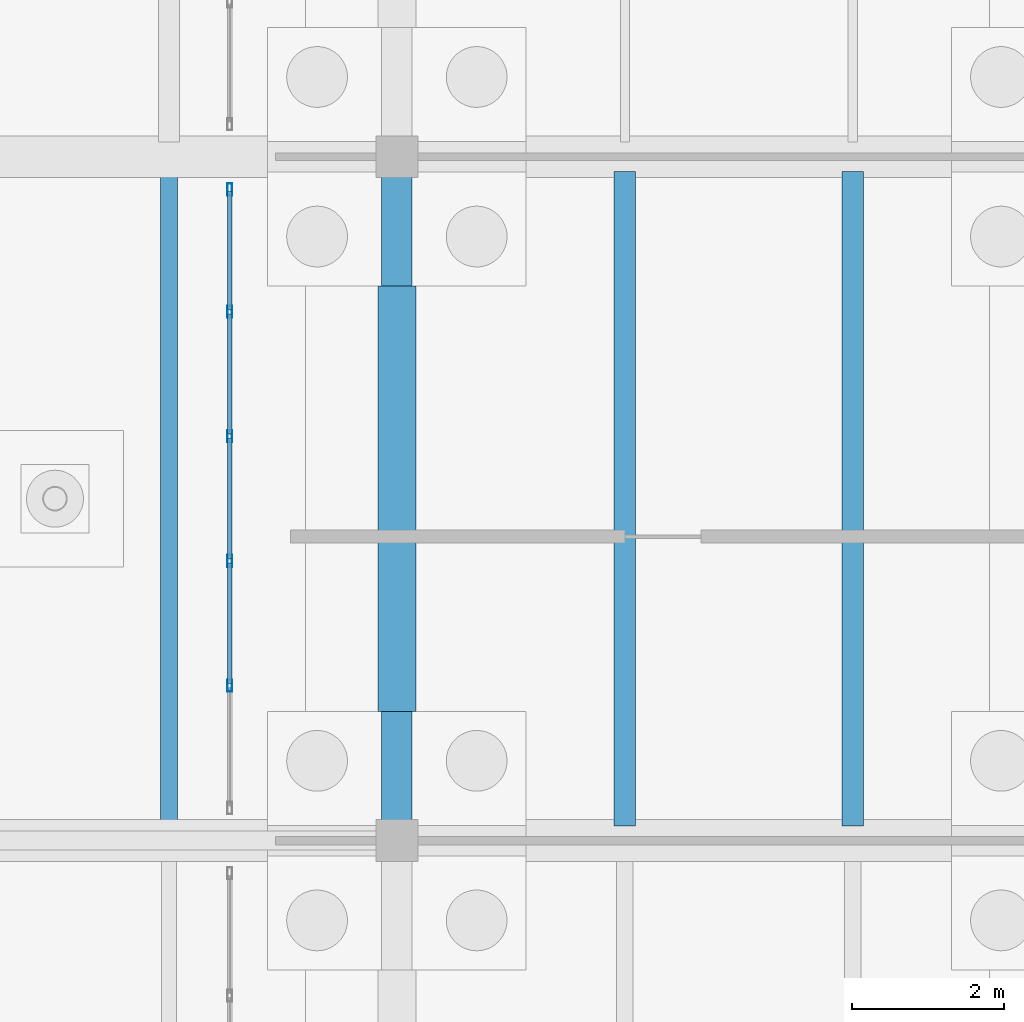
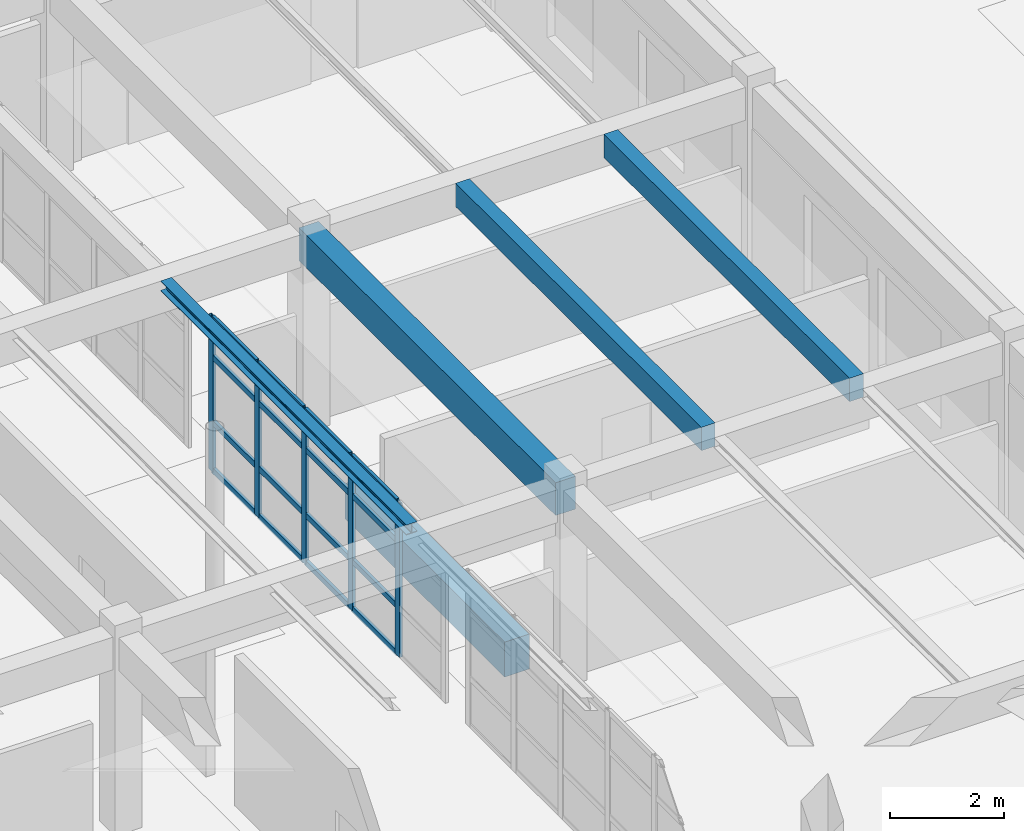
# One storey, part 51 of 186: 21 members, 5 beams, 1 element without a shape of its own.
"""IFC4 building model written with IfcOpenShell, lengths in metres."""

from ifc_helpers import new_model, si_unit, direction, frame, origin, origin_2d, place, context, subcontext, project, spatial, rectangle, hollow_rectangle, i_section, extrude, material, layer, layer_set, material_profile, profile_set, type_object, element, aggregate, save


model = new_model("IFC4")

# Units and contexts
model_context = context("Model", 3, precision=1e-05, world=origin(), true_north=direction((0.0, 1.0)))
body_context = subcontext(model_context, "Body", "Model", "MODEL_VIEW")
ifc_project = project(units=[si_unit("LENGTHUNIT", "METRE"), si_unit("AREAUNIT", "SQUARE_METRE"), si_unit("VOLUMEUNIT", "CUBIC_METRE"), si_unit("PLANEANGLEUNIT", "RADIAN"), si_unit("MASSUNIT", "GRAM", prefix="KILO")], contexts=[model_context])

# Site, building, storey
site_placement = place(None, origin())
site = spatial("IfcSite", under=ifc_project, at=site_placement, CompositionType="ELEMENT")
building_placement = place(site_placement, origin())
building = spatial("IfcBuilding", under=site, at=building_placement, Name="Ornek Quay Market", CompositionType="ELEMENT")
storey_placement = place(building_placement, origin())
storey = spatial("IfcBuildingStorey", under=building, at=storey_placement, Name="L00", CompositionType="ELEMENT", Elevation=0.0)

# Beams
ifc_material_1 = material(Name="Concrete C35/45", Category="concrete")
ifc_material_profile_1 = material_profile(ifc_material_1, rectangle(XDim=0.5, YDim=0.75, at=origin_2d()), Name="RC 500x750", Category="concrete")
ifc_profile_set_1 = profile_set([ifc_material_profile_1], Name="Concrete C35/45")
beam_type_1 = type_object("IfcBeamType", Name="BM-GB-500x750", PredefinedType="BEAM", material=ifc_profile_set_1)
beam_1_placement = place(storey_placement, frame((18.0, 75.699951171875, -0.574951171875), z_axis=(0.0, 1.0, 0.0), x_axis=(-1.0, 0.0, 0.0)))
element("IfcBeam", 1, at=beam_1_placement, inside=storey, type_object=beam_type_1, Name="Ground tie beam GB-072", PredefinedType="BEAM", context=body_context, shape_type="SweptSolid", body=[
    extrude(rectangle(XDim=0.5, YDim=0.75, at=origin_2d()), origin(), (0.0, 0.0, 1.0), 5.60009765625),
])
ifc_material_profile_2 = material_profile(ifc_material_1, rectangle(XDim=0.280029296875, YDim=0.5, at=origin_2d()), Name="RC 280x500", Category="concrete")
ifc_profile_set_2 = profile_set([ifc_material_profile_2], Name="Concrete C35/45")
beam_type_2 = type_object("IfcBeamType", Name="BM-SEC-280x500", PredefinedType="JOIST", material=ifc_profile_set_2)
for number, where, z_axis, x_axis, name in (
    (2, (21.0, 74.19189453125, 3.969970703125), (0.0, 1.0, 0.0), (-1.0, 0.0, 0.0), "Secondary joist B-SC2-029"),
    (3, (24.0, 74.19189453125, 3.969970703125), (0.0, 1.0, 0.0), (-1.0, 0.0, 0.0), "Secondary joist B-SC2-030"),
):
    element("IfcBeam", number, at=place(storey_placement, frame(where, z_axis=z_axis, x_axis=x_axis)), inside=storey, type_object=beam_type_2, Name=name, PredefinedType="JOIST", context=body_context, shape_type="SweptSolid", body=[
        extrude(rectangle(XDim=0.280029296875, YDim=0.5, at=origin_2d()), origin(), (0.0, 0.0, 1.0), 8.6162109375),
    ])
ifc_material_2 = material(Name="Steel S355", Category="steel")
ifc_material_profile_3 = material_profile(ifc_material_2, i_section(OverallWidth=0.219970703125, OverallDepth=0.2099609375, WebThickness=0.007080078125, FlangeThickness=0.010986328125, FilletRadius=0.01806640625, at=origin_2d()), Name="HEA 220", Category="steel")
ifc_profile_set_3 = profile_set([ifc_material_profile_3], Name="Steel S355")
beam_type_3 = type_object("IfcBeamType", Name="BM-STL-HEA220", PredefinedType="BEAM", material=ifc_profile_set_3)
beam_2_placement = place(storey_placement, frame((15.0, 74.19189453125, 4.114990234375), z_axis=(0.0, 1.0, 0.0), x_axis=(-1.0, 0.0, 0.0)))
element("IfcBeam", 4, at=beam_2_placement, inside=storey, type_object=beam_type_3, Name="Secondary joist SB-13-008", PredefinedType="BEAM", context=body_context, shape_type="SweptSolid", body=[
    extrude(i_section(OverallWidth=0.219970703125, OverallDepth=0.2099609375, WebThickness=0.007080078125, FlangeThickness=0.010986328125, FilletRadius=0.01806640625, at=origin_2d()), origin(), (0.0, 0.0, 1.0), 8.6162109375),
])
ifc_material_profile_4 = material_profile(ifc_material_1, rectangle(XDim=0.39990234375, YDim=0.699951171875, at=origin_2d()), Name="RC 400x700", Category="concrete")
ifc_profile_set_4 = profile_set([ifc_material_profile_4], Name="Concrete C35/45")
beam_type_4 = type_object("IfcBeamType", Name="BM-WW-400x700", PredefinedType="BEAM", material=ifc_profile_set_4)
beam_3_placement = place(storey_placement, frame((18.0, 74.0, 3.8701171875), z_axis=(0.0, 1.0, 0.0), x_axis=(-1.0, 0.0, 0.0)))
element("IfcBeam", 5, at=beam_3_placement, inside=storey, type_object=beam_type_4, Name="Primary beam B-WW1-044", PredefinedType="BEAM", context=body_context, shape_type="SweptSolid", body=[
    extrude(rectangle(XDim=0.39990234375, YDim=0.699951171875, at=origin_2d()), origin(), (0.0, 0.0, 1.0), 9.0),
])

# Curtain wall, members
ifc_material_3 = material(Name="Anodised bronze aluminium and triple low-e glass", Category="aluminium")
ifc_layer = layer(ifc_material_3, 0.179931640625, Name="Anodised bronze aluminium and triple low-e glass", Category="aluminium")
ifc_layer_set = layer_set([ifc_layer], Name="Anodised bronze aluminium and triple low-e glass")
curtain_wall_type = type_object("IfcCurtainWallType", Name="CW-CONC-MOD1500", PredefinedType="USERDEFINED", material=ifc_layer_set)
curtain_wall_placement = place(storey_placement, origin())
curtain_wall = element("IfcCurtainWall", 6, at=curtain_wall_placement, inside=storey, type_object=curtain_wall_type, Name="Curtain wall CW-144", ObjectType="CURTAIN WALL", PredefinedType="USERDEFINED")
ifc_material_4 = material(Name="Anodised aluminium 6063-T6", Category="aluminium")
ifc_material_profile_5 = material_profile(ifc_material_4, hollow_rectangle(XDim=0.06005859375, YDim=0.159912109375, WallThickness=0.00390625, at=origin_2d()), Name="CW-MUL-60x160", Category="aluminium")
ifc_profile_set_5 = profile_set([ifc_material_profile_5], Name="Anodised aluminium 6063-T6")
member_type_1 = type_object("IfcMemberType", Name="CW-MUL-60x160", PredefinedType="MULLION", material=ifc_profile_set_5)
member_1_placement = place(storey_placement, frame((15.800048828125, 76.0400390625, 0.0), z_axis=(0.0, 0.0, 1.0), x_axis=(-1.0, 0.0, 0.0)))
member_1 = element("IfcMember", 7, at=member_1_placement, type_object=member_type_1, Name="CW-144 mullion 2", PredefinedType="MULLION", context=body_context, shape_type="SweptSolid", body=[
    extrude(hollow_rectangle(XDim=0.06005859375, YDim=0.159912109375, WallThickness=0.00390625, at=origin_2d()), origin(), (0.0, 0.0, 1.0), 3.300048828125),
])
member_2_placement = place(storey_placement, frame((15.800048828125, 77.679931640625, 0.0), z_axis=(0.0, 0.0, 1.0), x_axis=(-1.0, 0.0, 0.0)))
member_2 = element("IfcMember", 8, at=member_2_placement, type_object=member_type_1, Name="CW-144 mullion 3", PredefinedType="MULLION", context=body_context, shape_type="SweptSolid", body=[
    extrude(hollow_rectangle(XDim=0.06005859375, YDim=0.159912109375, WallThickness=0.00390625, at=origin_2d()), origin(), (0.0, 0.0, 1.0), 3.300048828125),
])
member_3_placement = place(storey_placement, frame((15.800048828125, 79.320068359375, 0.0), z_axis=(0.0, 0.0, 1.0), x_axis=(-1.0, 0.0, 0.0)))
member_3 = element("IfcMember", 9, at=member_3_placement, type_object=member_type_1, Name="CW-144 mullion 4", PredefinedType="MULLION", context=body_context, shape_type="SweptSolid", body=[
    extrude(hollow_rectangle(XDim=0.06005859375, YDim=0.159912109375, WallThickness=0.00390625, at=origin_2d()), origin(), (0.0, 0.0, 1.0), 3.300048828125),
])
member_4_placement = place(storey_placement, frame((15.800048828125, 80.9599609375, 0.0), z_axis=(0.0, 0.0, 1.0), x_axis=(-1.0, 0.0, 0.0)))
member_4 = element("IfcMember", 10, at=member_4_placement, type_object=member_type_1, Name="CW-144 mullion 5", PredefinedType="MULLION", context=body_context, shape_type="SweptSolid", body=[
    extrude(hollow_rectangle(XDim=0.06005859375, YDim=0.159912109375, WallThickness=0.00390625, at=origin_2d()), origin(), (0.0, 0.0, 1.0), 3.300048828125),
])
member_5_placement = place(storey_placement, frame((15.800048828125, 82.570068359375, 0.0), z_axis=(0.0, 0.0, 1.0), x_axis=(-1.0, 0.0, 0.0)))
member_5 = element("IfcMember", 11, at=member_5_placement, type_object=member_type_1, Name="CW-144 mullion 6", PredefinedType="MULLION", context=body_context, shape_type="SweptSolid", body=[
    extrude(hollow_rectangle(XDim=0.06005859375, YDim=0.159912109375, WallThickness=0.00390625, at=origin_2d()), origin(), (0.0, 0.0, 1.0), 3.300048828125),
])
ifc_material_profile_6 = material_profile(ifc_material_4, hollow_rectangle(XDim=0.06005859375, YDim=0.1201171875, WallThickness=0.00390625, at=origin_2d()), Name="CW-TRN-60x120", Category="aluminium")
ifc_profile_set_6 = profile_set([ifc_material_profile_6], Name="Anodised aluminium 6063-T6")
member_type_2 = type_object("IfcMemberType", Name="CW-TRN-60x120", PredefinedType="USERDEFINED", material=ifc_profile_set_6)
member_6_placement = place(storey_placement, frame((15.800048828125, 76.070068359375, 0.030029296875), z_axis=(0.0, 1.0, 0.0), x_axis=(-1.0, 0.0, 0.0)))
member_6 = element("IfcMember", 12, at=member_6_placement, type_object=member_type_2, Name="CW-144 transom 2.1", ObjectType="TRANSOM", PredefinedType="USERDEFINED", context=body_context, shape_type="SweptSolid", body=[
    extrude(hollow_rectangle(XDim=0.06005859375, YDim=0.1201171875, WallThickness=0.00390625, at=origin_2d()), origin(), (0.0, 0.0, 1.0), 1.579833984375),
])
member_7_placement = place(storey_placement, frame((15.800048828125, 76.070068359375, 1.050048828125), z_axis=(0.0, 1.0, 0.0), x_axis=(-1.0, 0.0, 0.0)))
member_7 = element("IfcMember", 13, at=member_7_placement, type_object=member_type_2, Name="CW-144 transom 2.2", ObjectType="TRANSOM", PredefinedType="USERDEFINED", context=body_context, shape_type="SweptSolid", body=[
    extrude(hollow_rectangle(XDim=0.06005859375, YDim=0.1201171875, WallThickness=0.00390625, at=origin_2d()), origin(), (0.0, 0.0, 1.0), 1.579833984375),
])
member_8_placement = place(storey_placement, frame((15.800048828125, 76.070068359375, 2.449951171875), z_axis=(0.0, 1.0, 0.0), x_axis=(-1.0, 0.0, 0.0)))
member_8 = element("IfcMember", 14, at=member_8_placement, type_object=member_type_2, Name="CW-144 transom 2.3", ObjectType="TRANSOM", PredefinedType="USERDEFINED", context=body_context, shape_type="SweptSolid", body=[
    extrude(hollow_rectangle(XDim=0.06005859375, YDim=0.1201171875, WallThickness=0.00390625, at=origin_2d()), origin(), (0.0, 0.0, 1.0), 1.579833984375),
])
member_9_placement = place(storey_placement, frame((15.800048828125, 76.070068359375, 3.27001953125), z_axis=(0.0, 1.0, 0.0), x_axis=(-1.0, 0.0, 0.0)))
member_9 = element("IfcMember", 15, at=member_9_placement, type_object=member_type_2, Name="CW-144 transom 2.4", ObjectType="TRANSOM", PredefinedType="USERDEFINED", context=body_context, shape_type="SweptSolid", body=[
    extrude(hollow_rectangle(XDim=0.06005859375, YDim=0.1201171875, WallThickness=0.00390625, at=origin_2d()), origin(), (0.0, 0.0, 1.0), 1.579833984375),
])
member_10_placement = place(storey_placement, frame((15.800048828125, 77.7099609375, 0.030029296875), z_axis=(0.0, 1.0, 0.0), x_axis=(-1.0, 0.0, 0.0)))
member_10 = element("IfcMember", 16, at=member_10_placement, type_object=member_type_2, Name="CW-144 transom 3.1", ObjectType="TRANSOM", PredefinedType="USERDEFINED", context=body_context, shape_type="SweptSolid", body=[
    extrude(hollow_rectangle(XDim=0.06005859375, YDim=0.1201171875, WallThickness=0.00390625, at=origin_2d()), origin(), (0.0, 0.0, 1.0), 1.580078125),
])
member_11_placement = place(storey_placement, frame((15.800048828125, 77.7099609375, 1.050048828125), z_axis=(0.0, 1.0, 0.0), x_axis=(-1.0, 0.0, 0.0)))
member_11 = element("IfcMember", 17, at=member_11_placement, type_object=member_type_2, Name="CW-144 transom 3.2", ObjectType="TRANSOM", PredefinedType="USERDEFINED", context=body_context, shape_type="SweptSolid", body=[
    extrude(hollow_rectangle(XDim=0.06005859375, YDim=0.1201171875, WallThickness=0.00390625, at=origin_2d()), origin(), (0.0, 0.0, 1.0), 1.580078125),
])
member_12_placement = place(storey_placement, frame((15.800048828125, 77.7099609375, 2.449951171875), z_axis=(0.0, 1.0, 0.0), x_axis=(-1.0, 0.0, 0.0)))
member_12 = element("IfcMember", 18, at=member_12_placement, type_object=member_type_2, Name="CW-144 transom 3.3", ObjectType="TRANSOM", PredefinedType="USERDEFINED", context=body_context, shape_type="SweptSolid", body=[
    extrude(hollow_rectangle(XDim=0.06005859375, YDim=0.1201171875, WallThickness=0.00390625, at=origin_2d()), origin(), (0.0, 0.0, 1.0), 1.580078125),
])
member_13_placement = place(storey_placement, frame((15.800048828125, 77.7099609375, 3.27001953125), z_axis=(0.0, 1.0, 0.0), x_axis=(-1.0, 0.0, 0.0)))
member_13 = element("IfcMember", 19, at=member_13_placement, type_object=member_type_2, Name="CW-144 transom 3.4", ObjectType="TRANSOM", PredefinedType="USERDEFINED", context=body_context, shape_type="SweptSolid", body=[
    extrude(hollow_rectangle(XDim=0.06005859375, YDim=0.1201171875, WallThickness=0.00390625, at=origin_2d()), origin(), (0.0, 0.0, 1.0), 1.580078125),
])
member_14_placement = place(storey_placement, frame((15.800048828125, 79.35009765625, 0.030029296875), z_axis=(0.0, 1.0, 0.0), x_axis=(-1.0, 0.0, 0.0)))
member_14 = element("IfcMember", 20, at=member_14_placement, type_object=member_type_2, Name="CW-144 transom 4.1", ObjectType="TRANSOM", PredefinedType="USERDEFINED", context=body_context, shape_type="SweptSolid", body=[
    extrude(hollow_rectangle(XDim=0.06005859375, YDim=0.1201171875, WallThickness=0.00390625, at=origin_2d()), origin(), (0.0, 0.0, 1.0), 1.579833984375),
])
member_15_placement = place(storey_placement, frame((15.800048828125, 79.35009765625, 1.050048828125), z_axis=(0.0, 1.0, 0.0), x_axis=(-1.0, 0.0, 0.0)))
member_15 = element("IfcMember", 21, at=member_15_placement, type_object=member_type_2, Name="CW-144 transom 4.2", ObjectType="TRANSOM", PredefinedType="USERDEFINED", context=body_context, shape_type="SweptSolid", body=[
    extrude(hollow_rectangle(XDim=0.06005859375, YDim=0.1201171875, WallThickness=0.00390625, at=origin_2d()), origin(), (0.0, 0.0, 1.0), 1.579833984375),
])
member_16_placement = place(storey_placement, frame((15.800048828125, 79.35009765625, 2.449951171875), z_axis=(0.0, 1.0, 0.0), x_axis=(-1.0, 0.0, 0.0)))
member_16 = element("IfcMember", 22, at=member_16_placement, type_object=member_type_2, Name="CW-144 transom 4.3", ObjectType="TRANSOM", PredefinedType="USERDEFINED", context=body_context, shape_type="SweptSolid", body=[
    extrude(hollow_rectangle(XDim=0.06005859375, YDim=0.1201171875, WallThickness=0.00390625, at=origin_2d()), origin(), (0.0, 0.0, 1.0), 1.579833984375),
])
member_17_placement = place(storey_placement, frame((15.800048828125, 79.35009765625, 3.27001953125), z_axis=(0.0, 1.0, 0.0), x_axis=(-1.0, 0.0, 0.0)))
member_17 = element("IfcMember", 23, at=member_17_placement, type_object=member_type_2, Name="CW-144 transom 4.4", ObjectType="TRANSOM", PredefinedType="USERDEFINED", context=body_context, shape_type="SweptSolid", body=[
    extrude(hollow_rectangle(XDim=0.06005859375, YDim=0.1201171875, WallThickness=0.00390625, at=origin_2d()), origin(), (0.0, 0.0, 1.0), 1.579833984375),
])
member_18_placement = place(storey_placement, frame((15.800048828125, 80.989990234375, 0.030029296875), z_axis=(0.0, 1.0, 0.0), x_axis=(-1.0, 0.0, 0.0)))
member_18 = element("IfcMember", 24, at=member_18_placement, type_object=member_type_2, Name="CW-144 transom 5.1", ObjectType="TRANSOM", PredefinedType="USERDEFINED", context=body_context, shape_type="SweptSolid", body=[
    extrude(hollow_rectangle(XDim=0.06005859375, YDim=0.1201171875, WallThickness=0.00390625, at=origin_2d()), origin(), (0.0, 0.0, 1.0), 1.550048828125),
])
member_19_placement = place(storey_placement, frame((15.800048828125, 80.989990234375, 1.050048828125), z_axis=(0.0, 1.0, 0.0), x_axis=(-1.0, 0.0, 0.0)))
member_19 = element("IfcMember", 25, at=member_19_placement, type_object=member_type_2, Name="CW-144 transom 5.2", ObjectType="TRANSOM", PredefinedType="USERDEFINED", context=body_context, shape_type="SweptSolid", body=[
    extrude(hollow_rectangle(XDim=0.06005859375, YDim=0.1201171875, WallThickness=0.00390625, at=origin_2d()), origin(), (0.0, 0.0, 1.0), 1.550048828125),
])
member_20_placement = place(storey_placement, frame((15.800048828125, 80.989990234375, 2.449951171875), z_axis=(0.0, 1.0, 0.0), x_axis=(-1.0, 0.0, 0.0)))
member_20 = element("IfcMember", 26, at=member_20_placement, type_object=member_type_2, Name="CW-144 transom 5.3", ObjectType="TRANSOM", PredefinedType="USERDEFINED", context=body_context, shape_type="SweptSolid", body=[
    extrude(hollow_rectangle(XDim=0.06005859375, YDim=0.1201171875, WallThickness=0.00390625, at=origin_2d()), origin(), (0.0, 0.0, 1.0), 1.550048828125),
])
member_21_placement = place(storey_placement, frame((15.800048828125, 80.989990234375, 3.27001953125), z_axis=(0.0, 1.0, 0.0), x_axis=(-1.0, 0.0, 0.0)))
member_21 = element("IfcMember", 27, at=member_21_placement, type_object=member_type_2, Name="CW-144 transom 5.4", ObjectType="TRANSOM", PredefinedType="USERDEFINED", context=body_context, shape_type="SweptSolid", body=[
    extrude(hollow_rectangle(XDim=0.06005859375, YDim=0.1201171875, WallThickness=0.00390625, at=origin_2d()), origin(), (0.0, 0.0, 1.0), 1.550048828125),
])
aggregate(curtain_wall, [member_1, member_2, member_3, member_4, member_5, member_6, member_7, member_8, member_9, member_10, member_11, member_12, member_13, member_14, member_15, member_16, member_17, member_18, member_19, member_20, member_21])

save(model, "model.ifc")
